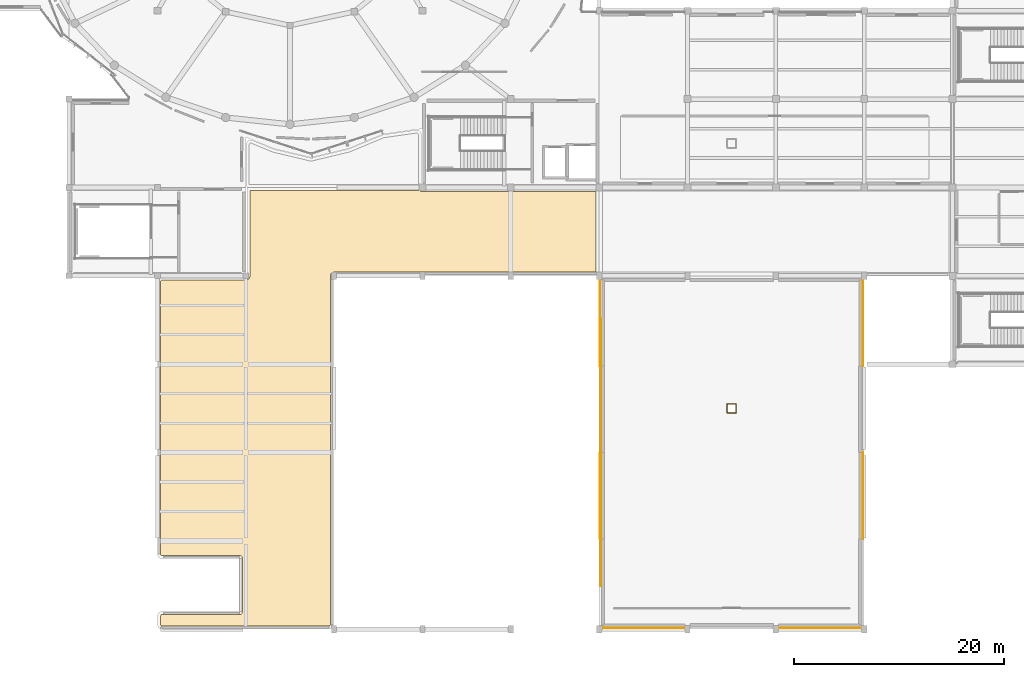
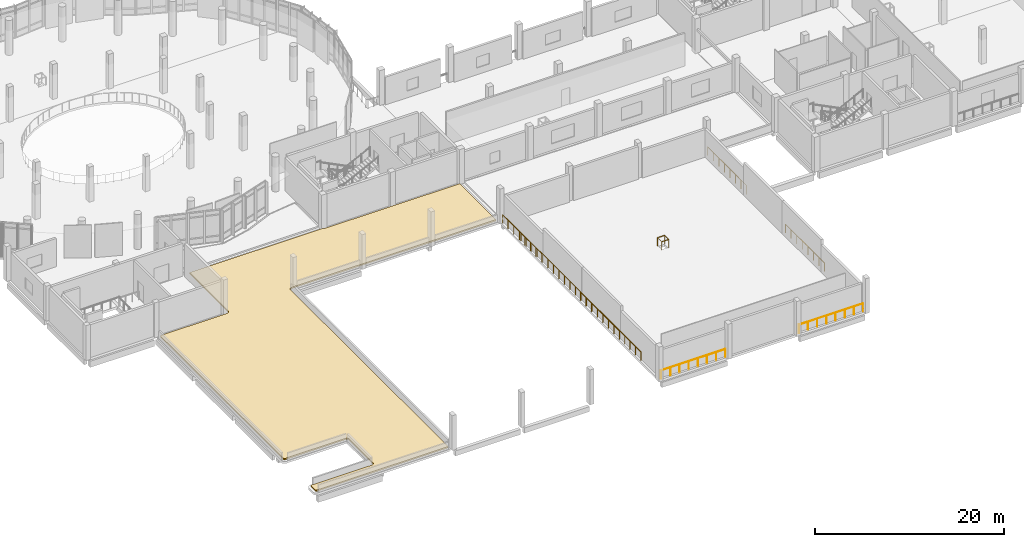
# One storey, part 37 of 46: 8 railings, 1 covering.
"""IFC4 building model written with IfcOpenShell, lengths in metres."""

import ifcopenshell
import ifcopenshell.guid

model = None  # the IFC model being written
_history = None  # IfcOwnerHistory: only IFC2X3 demands one
_inside = {}  # id of a spatial element -> (the spatial element, [elements in it])
_under = {}  # id of a project, library or spatial element -> (it, [spatial elements below it])
_declared = {}  # id of a project -> (the project, [libraries it declares])
_typed = {}  # id of a type object -> (the type object, [elements of that type])
_made_of = {}  # id of a material, layer set ... -> (it, [elements and type objects made of it])


def new_model(schema):
    """Start an empty IFC model of exactly this schema.

    Asked for "IFC4X3", IfcOpenShell would pick the latest addendum, in which some entities
    have other attributes; the version numbers below select the first issue.
    IFC2X3 requires an IfcOwnerHistory on every rooted entity: one is made here for all.
    """
    global model, _history
    if schema == "IFC4X3":
        model = ifcopenshell.file(schema_version=(4, 3, 0, 0))
    else:
        model = ifcopenshell.file(schema=schema)
    _inside.clear()
    _under.clear()
    _declared.clear()
    _typed.clear()
    _made_of.clear()
    _history = None
    if model.schema == "IFC2X3":
        org = make("IfcOrganization", Name="unknown")
        user = make(
            "IfcPersonAndOrganization",
            ThePerson=make("IfcPerson", FamilyName="unknown"),
            TheOrganization=org,
        )
        app = make(
            "IfcApplication",
            ApplicationDeveloper=org,
            Version="unknown",
            ApplicationFullName="unknown",
            ApplicationIdentifier="unknown",
        )
        _history = make(
            "IfcOwnerHistory",
            OwningUser=user,
            OwningApplication=app,
            ChangeAction="ADDED",
            CreationDate=0,
        )
    return model


def make(cls, **values):
    """One entity of the class cls with the attributes given. An attribute that is None is left unset."""
    return model.create_entity(
        cls, **{name: value for name, value in values.items() if value is not None}
    )


def rooted(cls, **values):
    """An entity with a GlobalId (a new one), such as an element, a storey or a relation."""
    return make(cls, GlobalId=ifcopenshell.guid.new(), OwnerHistory=_history, **values)


def si_unit(unit_type, name, prefix=None):
    """IfcSIUnit, for example si_unit("LENGTHUNIT", "METRE", prefix="MILLI")."""
    return make("IfcSIUnit", UnitType=unit_type, Prefix=prefix, Name=name)


def derived_unit(unit_type, elements):
    """IfcDerivedUnit: a product of units, each with its exponent."""
    return make(
        "IfcDerivedUnit",
        Elements=[
            make("IfcDerivedUnitElement", Unit=unit, Exponent=power)
            for unit, power in elements
        ],
        UnitType=unit_type,
    )


def assignment(units):
    """IfcUnitAssignment: the units of a project."""
    return None if units is None else make("IfcUnitAssignment", Units=units)


def point(xyz):
    """IfcCartesianPoint."""
    return None if xyz is None else make("IfcCartesianPoint", Coordinates=xyz)


def direction(xyz):
    """IfcDirection."""
    return None if xyz is None else make("IfcDirection", DirectionRatios=xyz)


def frame(location, z_axis=None, x_axis=None):
    """IfcAxis2Placement3D, a coordinate frame: its origin and axes. An axis left out is left unset."""
    return make(
        "IfcAxis2Placement3D",
        Location=point(location),
        Axis=direction(z_axis),
        RefDirection=direction(x_axis),
    )


def frame_2d(location, x_axis=None):
    """IfcAxis2Placement2D, a coordinate frame in the plane: its origin and x axis."""
    return make(
        "IfcAxis2Placement2D", Location=point(location), RefDirection=direction(x_axis)
    )


def origin():
    """The frame at (0, 0, 0) with its axes left unset."""
    return frame((0.0, 0.0, 0.0))


def origin_2d():
    """The frame at (0, 0) in the plane with its x axis left unset."""
    return frame_2d((0.0, 0.0))


def place(relative_to, where):
    """IfcLocalPlacement: puts the frame where relative to a parent placement (None: the world)."""
    return make(
        "IfcLocalPlacement", PlacementRelTo=relative_to, RelativePlacement=where
    )


def context(
    kind, dimensions, precision=None, world=None, true_north=None, identifier=None
):
    """IfcGeometricRepresentationContext, for example the 3D "Model" context."""
    return make(
        "IfcGeometricRepresentationContext",
        ContextIdentifier=identifier,
        ContextType=kind,
        CoordinateSpaceDimension=dimensions,
        Precision=precision,
        WorldCoordinateSystem=world,
        TrueNorth=true_north,
    )


def subcontext(parent, identifier, kind, view, scale=None):
    """IfcGeometricRepresentationSubContext, for example "Body" below "Model"."""
    return make(
        "IfcGeometricRepresentationSubContext",
        ContextIdentifier=identifier,
        ContextType=kind,
        ParentContext=parent,
        TargetScale=scale,
        TargetView=view,
    )


def project(units=None, contexts=None):
    """IfcProject with its units and contexts."""
    return rooted(
        "IfcProject",
        Name="project",
        RepresentationContexts=contexts,
        UnitsInContext=assignment(units),
    )


def spatial(cls, under=None, at=None, **own):
    """A site, building, storey or space (cls), placed at a placement, below another one or the project."""
    s = rooted(cls, ObjectPlacement=at, **own)
    if under is not None:
        _under.setdefault(under.id(), (under, []))[1].append(s)
    return s


def polyline(points):
    """IfcPolyline through the points."""
    return make("IfcPolyline", Points=[point(p) for p in points])


def profile(cls, at=None, kind="AREA", **sizes):
    """A parametric profile (cls). Its sizes go by their IFC names, for example OverallWidth=200.0."""
    return make(cls, ProfileType=kind, Position=at, **sizes)


def circle(**sizes):
    """IfcCircleProfileDef."""
    return profile("IfcCircleProfileDef", **sizes)


def outline(outer, holes=None, kind="AREA"):
    """IfcArbitraryClosedProfileDef: a profile drawn as a closed curve; with holes, ...WithVoids."""
    if holes is None:
        return make("IfcArbitraryClosedProfileDef", ProfileType=kind, OuterCurve=outer)
    return make(
        "IfcArbitraryProfileDefWithVoids",
        ProfileType=kind,
        OuterCurve=outer,
        InnerCurves=holes,
    )


def extrude(swept, where, along, depth):
    """IfcExtrudedAreaSolid: the profile swept, set in the frame where, extruded along a direction by depth."""
    return make(
        "IfcExtrudedAreaSolid",
        SweptArea=swept,
        Position=where,
        ExtrudedDirection=direction(along),
        Depth=depth,
    )


def shape(context_of_items, identifier, shape_type, items):
    """IfcShapeRepresentation: the items that make up one representation, for example the "Body"."""
    return make(
        "IfcShapeRepresentation",
        ContextOfItems=context_of_items,
        RepresentationIdentifier=identifier,
        RepresentationType=shape_type,
        Items=items,
    )


def material(Name=None, Category=None):
    """IfcMaterial."""
    return make("IfcMaterial", Name=Name, Category=Category)


def layer(
    of_material, thickness, ventilated=None, Name=None, Category=None, Priority=None
):
    """IfcMaterialLayer: one layer of a wall or slab, of a material (None: an air gap)."""
    return make(
        "IfcMaterialLayer",
        Material=of_material,
        LayerThickness=thickness,
        IsVentilated=ventilated,
        Name=Name,
        Category=Category,
        Priority=Priority,
    )


def layer_set(layers, Name=None):
    """IfcMaterialLayerSet."""
    return make("IfcMaterialLayerSet", MaterialLayers=layers, LayerSetName=Name)


def made_of(thing, what):
    """Note that an element or type object is made of a material, layer set ...; save() writes the relation."""
    if what is not None:
        _made_of.setdefault(what.id(), (what, []))[1].append(thing)
    return thing


def type_object(cls, material=None, **own):
    """A type object (cls), such as IfcWallType, which elements share."""
    return made_of(rooted(cls, **own), material)


def element(
    cls,
    number,
    at=None,
    inside=None,
    cuts=None,
    type_object=None,
    material=None,
    context=None,
    identifier="Body",
    shape_type=None,
    held_by="IfcProductDefinitionShape",
    body=None,
    shapes=None,
    **own,
):
    """One element of the class cls, such as IfcWall. Its Tag is "e" and its number.

    at: its placement. inside: the storey or other place that contains it. cuts: it is an
    opening in that element (IfcRelVoidsElement). A single representation is given by context,
    identifier, shape_type and body (its items); several are given by shapes. held_by: the class
    of the entity that holds the representations. save() writes the other relations.
    """
    e = rooted(cls, Tag="e%d" % number, ObjectPlacement=at, **own)
    if body is not None:
        shapes = [shape(context, identifier, shape_type, body)]
    if shapes is not None:
        e.Representation = make(held_by, Representations=shapes)
    if inside is not None:
        _inside.setdefault(inside.id(), (inside, []))[1].append(e)
    if cuts is not None:
        rooted(
            "IfcRelVoidsElement", RelatingBuildingElement=cuts, RelatedOpeningElement=e
        )
    if type_object is not None:
        _typed.setdefault(type_object.id(), (type_object, []))[1].append(e)
    return made_of(e, material)


def aggregate(whole, parts):
    """IfcRelAggregates: a whole, such as a stair, and the parts it consists of."""
    return rooted("IfcRelAggregates", RelatingObject=whole, RelatedObjects=parts)


def save(model, path):
    """Write the relations noted so far, then the file.

    IfcRelAggregates (storeys below a building ...), IfcRelContainedInSpatialStructure (elements
    in a storey), IfcRelDefinesByType, IfcRelAssociatesMaterial and IfcRelDeclares: one each for
    every whole, place, type object, material and project.
    """
    for whole, parts in _under.values():
        aggregate(whole, parts)
    for where, things in _inside.values():
        rooted(
            "IfcRelContainedInSpatialStructure",
            RelatedElements=things,
            RelatingStructure=where,
        )
    for kind, things in _typed.values():
        rooted("IfcRelDefinesByType", RelatedObjects=things, RelatingType=kind)
    for what, things in _made_of.values():
        rooted("IfcRelAssociatesMaterial", RelatedObjects=things, RelatingMaterial=what)
    for by, libraries in _declared.values():
        rooted("IfcRelDeclares", RelatingContext=by, RelatedDefinitions=libraries)
    model.write(path)


model = new_model("IFC4")

# Units and contexts
model_context = context("Model", 3, precision=1e-05, world=origin(), true_north=direction((0.0, 1.0)))
body_context = subcontext(model_context, "Body", "Model", "MODEL_VIEW")
ifc_project = project(units=[si_unit("LENGTHUNIT", "METRE"), si_unit("AREAUNIT", "SQUARE_METRE"), si_unit("VOLUMEUNIT", "CUBIC_METRE"), si_unit("PLANEANGLEUNIT", "RADIAN"), si_unit("MASSUNIT", "GRAM", prefix="KILO"), derived_unit("THERMALTRANSMITTANCEUNIT", [(si_unit("POWERUNIT", "WATT"), 1), (si_unit("LENGTHUNIT", "METRE"), -2), (si_unit("THERMODYNAMICTEMPERATUREUNIT", "KELVIN"), -1)])], contexts=[model_context])

# Site, building, storey
site_placement = place(None, origin())
site = spatial("IfcSite", under=ifc_project, at=site_placement, CompositionType="ELEMENT")
building_placement = place(site_placement, origin())
building = spatial("IfcBuilding", under=site, at=building_placement, Name="Elbkamm Science Centre", CompositionType="ELEMENT")
storey_placement = place(building_placement, frame((0.0, 0.0, 9.89990234375)))
storey = spatial("IfcBuildingStorey", under=building, at=storey_placement, Name="L02", CompositionType="ELEMENT", Elevation=9.89990234375)

# Covering
ifc_material_1 = material(Name="EPDM waterproof roofing membrane and mineral wool insulation")
ifc_layer = layer(ifc_material_1, 0.179931640625)
ifc_layer_set = layer_set([ifc_layer], Name="EPDM waterproof roofing membrane and mineral wool insulation")
covering_type = type_object("IfcCoveringType", Name="COV-ROOFING-180", PredefinedType="ROOFING", material=ifc_layer_set)
covering_placement = place(storey_placement, origin())
element("IfcCovering", 1, at=covering_placement, inside=storey, type_object=covering_type, Name="L02 Insulated Roof Membrane Covering 07", PredefinedType="ROOFING", context=body_context, shape_type="SweptSolid", body=[
    extrude(outline(polyline([(50.703125, 1.284912109375), (50.706298828125, 1.298583984375), (50.711181640625, 1.31201171875), (50.71728515625, 1.325439453125), (50.724365234375, 1.337646484375), (50.732666015625, 1.349365234375), (50.7421875, 1.360107421875), (50.75244140625, 1.369873046875), (50.763916015625, 1.378662109375), (50.77587890625, 1.386474609375), (50.78857421875, 1.392578125), (50.802001953125, 1.39794921875), (50.81591796875, 1.402099609375), (50.829833984375, 1.404541015625), (50.84423828125, 1.406005859375), (50.8583984375, 1.40576171875), (50.872802734375, 1.404296875), (50.88671875, 1.4013671875), (50.902587890625, 1.396484375), (50.910400390625, 1.3935546875), (50.93994140625, 1.385986328125), (50.9697265625, 1.381591796875), (51.0, 1.3798828125), (58.179931640625, 1.3798828125), (58.20947265625, 1.38134765625), (58.238525390625, 1.3857421875), (58.26708984375, 1.392822265625), (58.294921875, 1.40283203125), (58.3212890625, 1.415283203125), (58.3466796875, 1.4306640625), (58.370361328125, 1.447998046875), (58.39208984375, 1.468017578125), (58.411865234375, 1.48974609375), (58.429443359375, 1.51318359375), (58.444580078125, 1.53857421875), (58.457275390625, 1.565185546875), (58.467041015625, 1.593017578125), (58.47412109375, 1.62158203125), (58.478515625, 1.650634765625), (58.47998046875, 1.679931640625), (58.47998046875, 6.719970703125), (58.478515625, 6.74951171875), (58.47412109375, 6.778564453125), (58.467041015625, 6.80712890625), (58.457275390625, 6.834716796875), (58.444580078125, 6.861328125), (58.429443359375, 6.88671875), (58.411865234375, 6.910400390625), (58.39208984375, 6.93212890625), (58.370361328125, 6.951904296875), (58.3466796875, 6.969482421875), (58.3212890625, 6.984619140625), (58.294921875, 6.997314453125), (58.26708984375, 7.007080078125), (58.238525390625, 7.01416015625), (58.20947265625, 7.0185546875), (58.179931640625, 7.02001953125), (51.0, 7.02001953125), (50.96923828125, 7.018310546875), (50.938720703125, 7.013671875), (50.908935546875, 7.005859375), (50.885009765625, 6.998291015625), (50.872802734375, 6.995849609375), (50.8583984375, 6.994384765625), (50.84423828125, 6.994140625), (50.829833984375, 6.995361328125), (50.81591796875, 6.998046875), (50.802001953125, 7.001953125), (50.78857421875, 7.00732421875), (50.77587890625, 7.013671875), (50.763916015625, 7.021484375), (50.75244140625, 7.0302734375), (50.7421875, 7.039794921875), (50.732666015625, 7.05078125), (50.724365234375, 7.062255859375), (50.71728515625, 7.07470703125), (50.711181640625, 7.087890625), (50.706298828125, 7.101318359375), (50.703125, 7.114990234375), (50.701171875, 7.12939453125), (50.699951171875, 7.15087890625), (50.699951171875, 33.04248046875), (50.701171875, 33.064697265625), (50.703125, 33.0791015625), (50.706787109375, 33.093017578125), (50.7119140625, 33.107421875), (50.718017578125, 33.12060546875), (50.7255859375, 33.13330078125), (50.734130859375, 33.14501953125), (50.744140625, 33.15576171875), (50.755126953125, 33.165771484375), (50.766845703125, 33.17431640625), (50.779296875, 33.181884765625), (50.79248046875, 33.18798828125), (50.806884765625, 33.193359375), (50.82080078125, 33.19677734375), (50.835205078125, 33.198974609375), (50.857421875, 33.199951171875), (58.800048828125, 33.199951171875), (58.815185546875, 33.200439453125), (58.8251953125, 33.200927734375), (58.852783203125, 33.20361328125), (58.8623046875, 33.205078125), (58.89306640625, 33.2109375), (58.902587890625, 33.21337890625), (58.92919921875, 33.2216796875), (58.938720703125, 33.224853515625), (58.967529296875, 33.23681640625), (58.976318359375, 33.2412109375), (59.00146484375, 33.254638671875), (59.010009765625, 33.259765625), (59.03466796875, 33.276123046875), (59.04248046875, 33.281982421875), (59.064697265625, 33.30029296875), (59.072021484375, 33.306884765625), (59.09326171875, 33.328125), (59.099853515625, 33.33544921875), (59.117919921875, 33.357666015625), (59.123779296875, 33.365478515625), (59.140380859375, 33.39013671875), (59.1455078125, 33.398681640625), (59.158935546875, 33.423583984375), (59.1630859375, 33.4326171875), (59.175048828125, 33.46142578125), (59.178466796875, 33.470703125), (59.1865234375, 33.49755859375), (59.18896484375, 33.507080078125), (59.195068359375, 33.53759765625), (59.1962890625, 33.54736328125), (59.19921875, 33.574951171875), (59.19970703125, 33.584716796875), (59.199951171875, 33.60009765625), (59.199951171875, 41.699951171875), (75.335693359375, 41.699951171875), (75.357666015625, 41.681884765625), (75.365478515625, 41.67626953125), (75.39013671875, 41.65966796875), (75.398681640625, 41.654541015625), (75.423583984375, 41.64111328125), (75.4326171875, 41.636962890625), (75.46142578125, 41.625), (75.470703125, 41.62158203125), (75.49755859375, 41.61328125), (75.507080078125, 41.611083984375), (75.53759765625, 41.60498046875), (75.54736328125, 41.603515625), (75.574951171875, 41.600830078125), (75.584716796875, 41.600341796875), (75.60009765625, 41.60009765625), (92.10009765625, 41.60009765625), (92.10009765625, 33.949951171875), (67.199951171875, 33.949951171875), (67.187744140625, 33.94970703125), (67.182861328125, 33.94970703125), (67.146728515625, 33.94580078125), (67.141845703125, 33.945068359375), (67.115966796875, 33.939697265625), (67.111328125, 33.9384765625), (67.0869140625, 33.93115234375), (67.082275390625, 33.929443359375), (67.053955078125, 33.918212890625), (67.049560546875, 33.916015625), (67.02294921875, 33.90185546875), (67.018798828125, 33.8994140625), (66.9931640625, 33.88232421875), (66.9892578125, 33.87939453125), (66.968505859375, 33.862548828125), (66.96484375, 33.859375), (66.940673828125, 33.835205078125), (66.9375, 33.831298828125), (66.920654296875, 33.810791015625), (66.917724609375, 33.806884765625), (66.900634765625, 33.78125), (66.898193359375, 33.777099609375), (66.884033203125, 33.75048828125), (66.8818359375, 33.74609375), (66.87060546875, 33.7177734375), (66.868896484375, 33.713134765625), (66.861572265625, 33.688720703125), (66.8603515625, 33.68408203125), (66.85498046875, 33.658203125), (66.85400390625, 33.6533203125), (66.850341796875, 33.6171875), (66.85009765625, 33.6123046875), (66.85009765625, 33.60009765625), (66.85009765625, 0.45751953125), (66.848876953125, 0.435302734375), (66.8466796875, 0.4208984375), (66.84326171875, 0.406982421875), (66.838134765625, 0.392578125), (66.831787109375, 0.37939453125), (66.824462890625, 0.36669921875), (66.81591796875, 0.35498046875), (66.805908203125, 0.34423828125), (66.794921875, 0.334228515625), (66.783203125, 0.32568359375), (66.770751953125, 0.318115234375), (66.75732421875, 0.31201171875), (66.7431640625, 0.306640625), (66.729248046875, 0.30322265625), (66.71484375, 0.301025390625), (66.6923828125, 0.300048828125), (50.857421875, 0.300048828125), (50.835205078125, 0.301025390625), (50.82080078125, 0.30322265625), (50.806884765625, 0.306640625), (50.79248046875, 0.31201171875), (50.779296875, 0.318115234375), (50.766845703125, 0.32568359375), (50.755126953125, 0.334228515625), (50.744140625, 0.34423828125), (50.734130859375, 0.35498046875), (50.7255859375, 0.36669921875), (50.718017578125, 0.37939453125), (50.7119140625, 0.392578125), (50.706787109375, 0.406982421875), (50.703125, 0.4208984375), (50.701171875, 0.435302734375), (50.699951171875, 0.45751953125), (50.699951171875, 1.2490234375), (50.701171875, 1.270751953125), (50.703125, 1.284912109375)])), origin(), (0.0, 0.0, 1.0), 0.18017578125),
])

# Railings
ifc_material_2 = material(Name="Stainless steel EN 1.4401", Category="steel")
railing_type_1 = type_object("IfcRailingType", Name="RAIL-EXT-GUARD-1100", PredefinedType="GUARDRAIL", material=ifc_material_2)
railing_1_placement = place(storey_placement, frame((92.5, 8.590087890625, 0.0)))
element("IfcRailing", 2, at=railing_1_placement, inside=storey, type_object=railing_type_1, Name="L02 Slab Edge Perimeter Guard 069", PredefinedType="GUARDRAIL", context=body_context, shape_type="SweptSolid", body=[
    extrude(circle(Radius=0.02392578125, at=origin_2d()), frame((0.0, 0.0, 1.078125), z_axis=(0.0, 1.0, 0.0), x_axis=(-1.0, 0.0, 0.0)), (0.0, 0.0, 1.0), 8.2099609375),
    extrude(circle(Radius=0.02001953125, at=origin_2d()), origin(), (0.0, 0.0, 1.0), 1.048095703125),
    extrude(circle(Radius=0.02001953125, at=origin_2d()), frame((0.0, 1.1728515625, 0.0)), (0.0, 0.0, 1.0), 1.048095703125),
    extrude(circle(Radius=0.02001953125, at=origin_2d()), frame((0.0, 2.345703125, 0.0)), (0.0, 0.0, 1.0), 1.048095703125),
    extrude(circle(Radius=0.02001953125, at=origin_2d()), frame((0.0, 3.5185546875, 0.0)), (0.0, 0.0, 1.0), 1.048095703125),
    extrude(circle(Radius=0.02001953125, at=origin_2d()), frame((0.0, 4.69140625, 0.0)), (0.0, 0.0, 1.0), 1.048095703125),
    extrude(circle(Radius=0.02001953125, at=origin_2d()), frame((0.0, 5.8642578125, 0.0)), (0.0, 0.0, 1.0), 1.048095703125),
    extrude(circle(Radius=0.02001953125, at=origin_2d()), frame((0.0, 7.037109375, 0.0)), (0.0, 0.0, 1.0), 1.048095703125),
    extrude(circle(Radius=0.02001953125, at=origin_2d()), frame((0.0, 8.2099609375, 0.0)), (0.0, 0.0, 1.0), 1.048095703125),
])
railing_2_placement = place(storey_placement, frame((92.5, 25.010009765625, 0.0)))
element("IfcRailing", 3, at=railing_2_placement, inside=storey, type_object=railing_type_1, Name="L02 Slab Edge Perimeter Guard 070", PredefinedType="GUARDRAIL", context=body_context, shape_type="SweptSolid", body=[
    extrude(circle(Radius=0.02392578125, at=origin_2d()), frame((0.0, 0.0, 1.078125), z_axis=(0.0, 1.0, 0.0), x_axis=(-1.0, 0.0, 0.0)), (0.0, 0.0, 1.0), 8.260009765625),
    extrude(circle(Radius=0.02001953125, at=origin_2d()), origin(), (0.0, 0.0, 1.0), 1.048095703125),
    extrude(circle(Radius=0.02001953125, at=origin_2d()), frame((0.0, 1.179931640625, 0.0)), (0.0, 0.0, 1.0), 1.048095703125),
    extrude(circle(Radius=0.02001953125, at=origin_2d()), frame((0.0, 2.360107421875, 0.0)), (0.0, 0.0, 1.0), 1.048095703125),
    extrude(circle(Radius=0.02001953125, at=origin_2d()), frame((0.0, 3.5400390625, 0.0)), (0.0, 0.0, 1.0), 1.048095703125),
    extrude(circle(Radius=0.02001953125, at=origin_2d()), frame((0.0, 4.719970703125, 0.0)), (0.0, 0.0, 1.0), 1.048095703125),
    extrude(circle(Radius=0.02001953125, at=origin_2d()), frame((0.0, 5.89990234375, 0.0)), (0.0, 0.0, 1.0), 1.048095703125),
    extrude(circle(Radius=0.02001953125, at=origin_2d()), frame((0.0, 7.080078125, 0.0)), (0.0, 0.0, 1.0), 1.048095703125),
    extrude(circle(Radius=0.02001953125, at=origin_2d()), frame((0.0, 8.260009765625, 0.0)), (0.0, 0.0, 1.0), 1.048095703125),
])
railing_3_placement = place(storey_placement, frame((117.5, 33.24951171875, 0.0)))
element("IfcRailing", 4, at=railing_3_placement, inside=storey, type_object=railing_type_1, Name="L02 Slab Edge Perimeter Guard 071", PredefinedType="GUARDRAIL", context=body_context, shape_type="SweptSolid", body=[
    extrude(circle(Radius=0.02392578125, at=origin_2d()), frame((0.0, 0.0, 1.078125), z_axis=(0.0, -1.0, 0.0), x_axis=(1.0, 0.0, 0.0)), (0.0, 0.0, 1.0), 8.239501953125),
    extrude(circle(Radius=0.02001953125, at=origin_2d()), origin(), (0.0, 0.0, 1.0), 1.048095703125),
    extrude(circle(Radius=0.02001953125, at=origin_2d()), frame((0.0, -1.177001953125, 0.0)), (0.0, 0.0, 1.0), 1.048095703125),
    extrude(circle(Radius=0.02001953125, at=origin_2d()), frame((0.0, -2.354248046875, 0.0)), (0.0, 0.0, 1.0), 1.048095703125),
    extrude(circle(Radius=0.02001953125, at=origin_2d()), frame((0.0, -3.53125, 0.0)), (0.0, 0.0, 1.0), 1.048095703125),
    extrude(circle(Radius=0.02001953125, at=origin_2d()), frame((0.0, -4.708251953125, 0.0)), (0.0, 0.0, 1.0), 1.048095703125),
    extrude(circle(Radius=0.02001953125, at=origin_2d()), frame((0.0, -5.88525390625, 0.0)), (0.0, 0.0, 1.0), 1.048095703125),
    extrude(circle(Radius=0.02001953125, at=origin_2d()), frame((0.0, -7.0625, 0.0)), (0.0, 0.0, 1.0), 1.048095703125),
    extrude(circle(Radius=0.02001953125, at=origin_2d()), frame((0.0, -8.239501953125, 0.0)), (0.0, 0.0, 1.0), 1.048095703125),
])
railing_4_placement = place(storey_placement, frame((117.5, 16.800048828125, 0.0)))
element("IfcRailing", 5, at=railing_4_placement, inside=storey, type_object=railing_type_1, Name="L02 Slab Edge Perimeter Guard 072", PredefinedType="GUARDRAIL", context=body_context, shape_type="SweptSolid", body=[
    extrude(circle(Radius=0.02392578125, at=origin_2d()), frame((0.0, 0.0, 1.078125), z_axis=(0.0, -1.0, 0.0), x_axis=(1.0, 0.0, 0.0)), (0.0, 0.0, 1.0), 8.2099609375),
    extrude(circle(Radius=0.02001953125, at=origin_2d()), origin(), (0.0, 0.0, 1.0), 1.048095703125),
    extrude(circle(Radius=0.02001953125, at=origin_2d()), frame((0.0, -1.1728515625, 0.0)), (0.0, 0.0, 1.0), 1.048095703125),
    extrude(circle(Radius=0.02001953125, at=origin_2d()), frame((0.0, -2.345703125, 0.0)), (0.0, 0.0, 1.0), 1.048095703125),
    extrude(circle(Radius=0.02001953125, at=origin_2d()), frame((0.0, -3.5185546875, 0.0)), (0.0, 0.0, 1.0), 1.048095703125),
    extrude(circle(Radius=0.02001953125, at=origin_2d()), frame((0.0, -4.69140625, 0.0)), (0.0, 0.0, 1.0), 1.048095703125),
    extrude(circle(Radius=0.02001953125, at=origin_2d()), frame((0.0, -5.8642578125, 0.0)), (0.0, 0.0, 1.0), 1.048095703125),
    extrude(circle(Radius=0.02001953125, at=origin_2d()), frame((0.0, -7.037109375, 0.0)), (0.0, 0.0, 1.0), 1.048095703125),
    extrude(circle(Radius=0.02001953125, at=origin_2d()), frame((0.0, -8.2099609375, 0.0)), (0.0, 0.0, 1.0), 1.048095703125),
])
for number, where, name in (
    (6, (117.320068359375, 0.10009765625, 0.0), "L02 Slab Edge Perimeter Guard 073"),
    (7, (100.52001953125, 0.10009765625, 0.0), "L02 Slab Edge Perimeter Guard 074"),
):
    element("IfcRailing", number, at=place(storey_placement, frame(where)), inside=storey, type_object=railing_type_1, Name=name, PredefinedType="GUARDRAIL", context=body_context, shape_type="SweptSolid", body=[
        extrude(circle(Radius=0.02392578125, at=origin_2d()), frame((0.0, 0.0, 1.078125), z_axis=(-1.0, 0.0, 0.0), x_axis=(0.0, -1.0, 0.0)), (0.0, 0.0, 1.0), 7.840087890625),
        extrude(circle(Radius=0.02001953125, at=origin_2d()), origin(), (0.0, 0.0, 1.0), 1.048095703125),
        extrude(circle(Radius=0.02001953125, at=origin_2d()), frame((-1.1201171875, 0.0, 0.0)), (0.0, 0.0, 1.0), 1.048095703125),
        extrude(circle(Radius=0.02001953125, at=origin_2d()), frame((-2.239990234375, 0.0, 0.0)), (0.0, 0.0, 1.0), 1.048095703125),
        extrude(circle(Radius=0.02001953125, at=origin_2d()), frame((-3.360107421875, 0.0, 0.0)), (0.0, 0.0, 1.0), 1.048095703125),
        extrude(circle(Radius=0.02001953125, at=origin_2d()), frame((-4.47998046875, 0.0, 0.0)), (0.0, 0.0, 1.0), 1.048095703125),
        extrude(circle(Radius=0.02001953125, at=origin_2d()), frame((-5.60009765625, 0.0, 0.0)), (0.0, 0.0, 1.0), 1.048095703125),
        extrude(circle(Radius=0.02001953125, at=origin_2d()), frame((-6.719970703125, 0.0, 0.0)), (0.0, 0.0, 1.0), 1.048095703125),
        extrude(circle(Radius=0.02001953125, at=origin_2d()), frame((-7.840087890625, 0.0, 0.0)), (0.0, 0.0, 1.0), 1.048095703125),
    ])
railing_type_2 = type_object("IfcRailingType", Name="RAIL-GUARD-1100", PredefinedType="GUARDRAIL", material=ifc_material_2)
railing_5_placement = place(storey_placement, frame((104.570068359375, 20.570068359375, 0.0)))
element("IfcRailing", 8, at=railing_5_placement, inside=storey, type_object=railing_type_2, Name="L02 Service Riser Opening Guardrail 016", PredefinedType="GUARDRAIL", context=body_context, shape_type="SweptSolid", body=[
    extrude(circle(Radius=0.02392578125, at=origin_2d()), frame((0.0, 0.0, 1.078125), z_axis=(1.0, 0.0, 0.0), x_axis=(0.0, 1.0, 0.0)), (0.0, 0.0, 1.0), 0.829833984375),
    extrude(circle(Radius=0.02392578125, at=origin_2d()), frame((0.85986328125, 0.030029296875, 1.078125), z_axis=(0.0, 1.0, 0.0), x_axis=(-1.0, 0.0, 0.0)), (0.0, 0.0, 1.0), 0.7998046875),
    extrude(circle(Radius=0.02392578125, at=origin_2d()), frame((0.829833984375, 0.85986328125, 1.078125), z_axis=(-1.0, 0.0, 0.0), x_axis=(0.0, -1.0, 0.0)), (0.0, 0.0, 1.0), 0.7998046875),
    extrude(circle(Radius=0.02392578125, at=origin_2d()), frame((0.0, 0.829833984375, 1.078125), z_axis=(0.0, -1.0, 0.0), x_axis=(1.0, 0.0, 0.0)), (0.0, 0.0, 1.0), 0.829833984375),
    extrude(circle(Radius=0.02001953125, at=origin_2d()), origin(), (0.0, 0.0, 1.0), 1.048095703125),
    extrude(circle(Radius=0.02001953125, at=origin_2d()), frame((0.85986328125, 0.0, 0.0)), (0.0, 0.0, 1.0), 1.048095703125),
    extrude(circle(Radius=0.02001953125, at=origin_2d()), frame((0.85986328125, 0.85986328125, 0.0)), (0.0, 0.0, 1.0), 1.048095703125),
    extrude(circle(Radius=0.02001953125, at=origin_2d()), frame((0.0, 0.85986328125, 0.0)), (0.0, 0.0, 1.0), 1.048095703125),
])
railing_6_placement = place(storey_placement, frame((92.550048828125, 4.10009765625, 0.0)))
element("IfcRailing", 9, at=railing_6_placement, inside=storey, type_object=railing_type_2, Name="L02 Science Theatre Upper Balcony Guardrail", PredefinedType="GUARDRAIL", context=body_context, shape_type="SweptSolid", body=[
    extrude(circle(Radius=0.02392578125, at=origin_2d()), frame((0.0, 0.0, 1.078125), z_axis=(0.0, 1.0, 0.0), x_axis=(-1.0, 0.0, 0.0)), (0.0, 0.0, 1.0), 25.39990234375),
    extrude(circle(Radius=0.02001953125, at=origin_2d()), origin(), (0.0, 0.0, 1.0), 1.048095703125),
    extrude(circle(Radius=0.02001953125, at=origin_2d()), frame((0.0, 1.154541015625, 0.0)), (0.0, 0.0, 1.0), 1.048095703125),
    extrude(circle(Radius=0.02001953125, at=origin_2d()), frame((0.0, 2.30908203125, 0.0)), (0.0, 0.0, 1.0), 1.048095703125),
    extrude(circle(Radius=0.02001953125, at=origin_2d()), frame((0.0, 3.463623046875, 0.0)), (0.0, 0.0, 1.0), 1.048095703125),
    extrude(circle(Radius=0.02001953125, at=origin_2d()), frame((0.0, 4.6181640625, 0.0)), (0.0, 0.0, 1.0), 1.048095703125),
    extrude(circle(Radius=0.02001953125, at=origin_2d()), frame((0.0, 5.772705078125, 0.0)), (0.0, 0.0, 1.0), 1.048095703125),
    extrude(circle(Radius=0.02001953125, at=origin_2d()), frame((0.0, 6.92724609375, 0.0)), (0.0, 0.0, 1.0), 1.048095703125),
    extrude(circle(Radius=0.02001953125, at=origin_2d()), frame((0.0, 8.081787109375, 0.0)), (0.0, 0.0, 1.0), 1.048095703125),
    extrude(circle(Radius=0.02001953125, at=origin_2d()), frame((0.0, 9.236328125, 0.0)), (0.0, 0.0, 1.0), 1.048095703125),
    extrude(circle(Radius=0.02001953125, at=origin_2d()), frame((0.0, 10.390869140625, 0.0)), (0.0, 0.0, 1.0), 1.048095703125),
    extrude(circle(Radius=0.02001953125, at=origin_2d()), frame((0.0, 11.54541015625, 0.0)), (0.0, 0.0, 1.0), 1.048095703125),
    extrude(circle(Radius=0.02001953125, at=origin_2d()), frame((0.0, 12.699951171875, 0.0)), (0.0, 0.0, 1.0), 1.048095703125),
    extrude(circle(Radius=0.02001953125, at=origin_2d()), frame((0.0, 13.8544921875, 0.0)), (0.0, 0.0, 1.0), 1.048095703125),
    extrude(circle(Radius=0.02001953125, at=origin_2d()), frame((0.0, 15.009033203125, 0.0)), (0.0, 0.0, 1.0), 1.048095703125),
    extrude(circle(Radius=0.02001953125, at=origin_2d()), frame((0.0, 16.16357421875, 0.0)), (0.0, 0.0, 1.0), 1.048095703125),
    extrude(circle(Radius=0.02001953125, at=origin_2d()), frame((0.0, 17.318115234375, 0.0)), (0.0, 0.0, 1.0), 1.048095703125),
    extrude(circle(Radius=0.02001953125, at=origin_2d()), frame((0.0, 18.47265625, 0.0)), (0.0, 0.0, 1.0), 1.048095703125),
    extrude(circle(Radius=0.02001953125, at=origin_2d()), frame((0.0, 19.627197265625, 0.0)), (0.0, 0.0, 1.0), 1.048095703125),
    extrude(circle(Radius=0.02001953125, at=origin_2d()), frame((0.0, 20.78173828125, 0.0)), (0.0, 0.0, 1.0), 1.048095703125),
    extrude(circle(Radius=0.02001953125, at=origin_2d()), frame((0.0, 21.936279296875, 0.0)), (0.0, 0.0, 1.0), 1.048095703125),
    extrude(circle(Radius=0.02001953125, at=origin_2d()), frame((0.0, 23.0908203125, 0.0)), (0.0, 0.0, 1.0), 1.048095703125),
    extrude(circle(Radius=0.02001953125, at=origin_2d()), frame((0.0, 24.245361328125, 0.0)), (0.0, 0.0, 1.0), 1.048095703125),
    extrude(circle(Radius=0.02001953125, at=origin_2d()), frame((0.0, 25.39990234375, 0.0)), (0.0, 0.0, 1.0), 1.048095703125),
])

save(model, "model.ifc")
